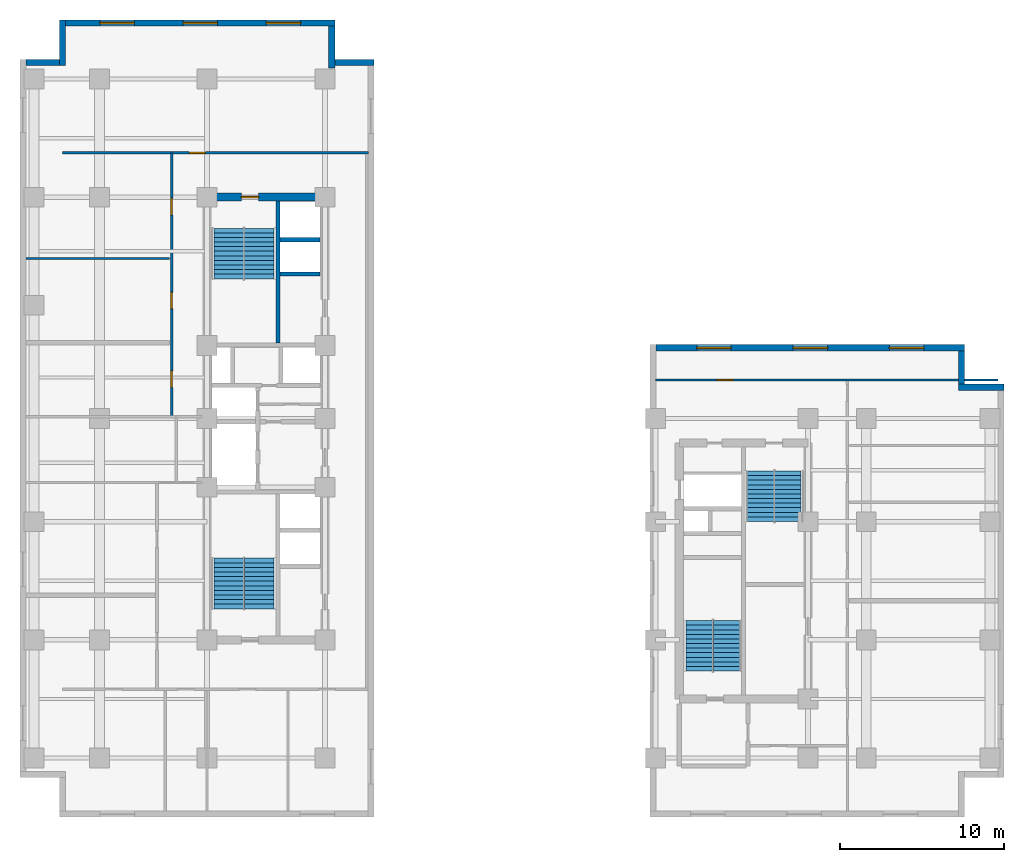
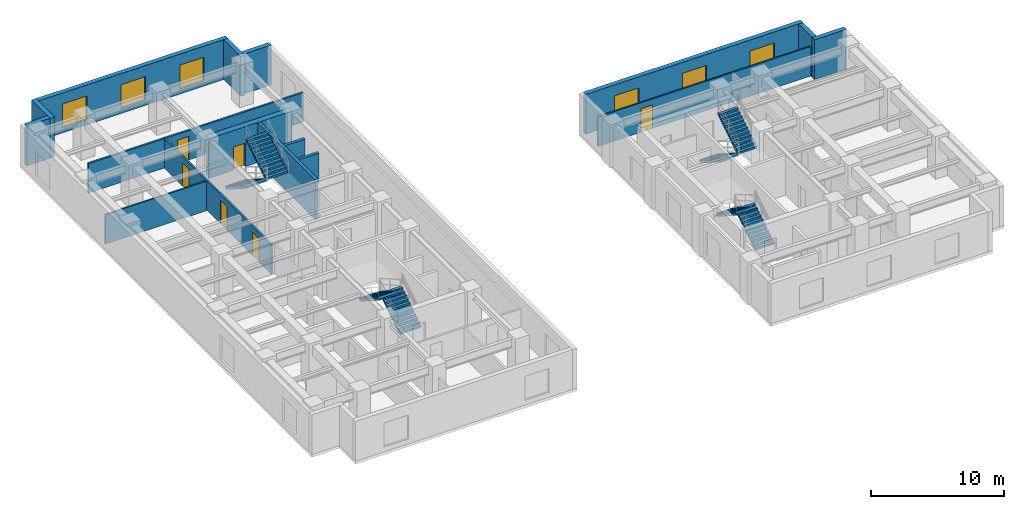
# One storey, part 5 of 8: 16 walls, 8 stair flights, 6 doors, 6 windows, 12 openings, 4 elements without a shape of their own.
"""IFC4 building model written with IfcOpenShell, lengths in metres."""

import ifcopenshell
import ifcopenshell.guid

model = None  # the IFC model being written
_history = None  # IfcOwnerHistory: only IFC2X3 demands one
_inside = {}  # id of a spatial element -> (the spatial element, [elements in it])
_under = {}  # id of a project, library or spatial element -> (it, [spatial elements below it])
_declared = {}  # id of a project -> (the project, [libraries it declares])
_typed = {}  # id of a type object -> (the type object, [elements of that type])
_made_of = {}  # id of a material, layer set ... -> (it, [elements and type objects made of it])


def new_model(schema):
    """Start an empty IFC model of exactly this schema.

    Asked for "IFC4X3", IfcOpenShell would pick the latest addendum, in which some entities
    have other attributes; the version numbers below select the first issue.
    IFC2X3 requires an IfcOwnerHistory on every rooted entity: one is made here for all.
    """
    global model, _history
    if schema == "IFC4X3":
        model = ifcopenshell.file(schema_version=(4, 3, 0, 0))
    else:
        model = ifcopenshell.file(schema=schema)
    _inside.clear()
    _under.clear()
    _declared.clear()
    _typed.clear()
    _made_of.clear()
    _history = None
    if model.schema == "IFC2X3":
        org = make("IfcOrganization", Name="unknown")
        user = make(
            "IfcPersonAndOrganization",
            ThePerson=make("IfcPerson", FamilyName="unknown"),
            TheOrganization=org,
        )
        app = make(
            "IfcApplication",
            ApplicationDeveloper=org,
            Version="unknown",
            ApplicationFullName="unknown",
            ApplicationIdentifier="unknown",
        )
        _history = make(
            "IfcOwnerHistory",
            OwningUser=user,
            OwningApplication=app,
            ChangeAction="ADDED",
            CreationDate=0,
        )
    return model


def make(cls, **values):
    """One entity of the class cls with the attributes given. An attribute that is None is left unset."""
    return model.create_entity(
        cls, **{name: value for name, value in values.items() if value is not None}
    )


def entity(cls, *values):
    """Any entity or typed value of the class cls, its attributes in the order of the schema. None: left unset."""
    e = model.create_entity(cls)
    for i, value in enumerate(values):
        if value is not None:
            e[i] = value
    return e


def rooted(cls, **values):
    """An entity with a GlobalId (a new one), such as an element, a storey or a relation."""
    return make(cls, GlobalId=ifcopenshell.guid.new(), OwnerHistory=_history, **values)


def si_unit(unit_type, name, prefix=None):
    """IfcSIUnit, for example si_unit("LENGTHUNIT", "METRE", prefix="MILLI")."""
    return make("IfcSIUnit", UnitType=unit_type, Prefix=prefix, Name=name)


def converted_unit(unit_type, name, factor, base, dimensions=None, offset=None):
    """IfcConversionBasedUnit, such as the inch: factor (a typed value) times the base unit."""
    return make(
        "IfcConversionBasedUnit"
        if offset is None
        else "IfcConversionBasedUnitWithOffset",
        ConversionOffset=offset,
        Dimensions=None
        if dimensions is None
        else entity("IfcDimensionalExponents", *dimensions),
        UnitType=unit_type,
        Name=name,
        ConversionFactor=make(
            "IfcMeasureWithUnit", ValueComponent=factor, UnitComponent=base
        ),
    )


def assignment(units):
    """IfcUnitAssignment: the units of a project."""
    return None if units is None else make("IfcUnitAssignment", Units=units)


def point(xyz):
    """IfcCartesianPoint."""
    return None if xyz is None else make("IfcCartesianPoint", Coordinates=xyz)


def direction(xyz):
    """IfcDirection."""
    return None if xyz is None else make("IfcDirection", DirectionRatios=xyz)


def frame(location, z_axis=None, x_axis=None):
    """IfcAxis2Placement3D, a coordinate frame: its origin and axes. An axis left out is left unset."""
    return make(
        "IfcAxis2Placement3D",
        Location=point(location),
        Axis=direction(z_axis),
        RefDirection=direction(x_axis),
    )


def frame_2d(location, x_axis=None):
    """IfcAxis2Placement2D, a coordinate frame in the plane: its origin and x axis."""
    return make(
        "IfcAxis2Placement2D", Location=point(location), RefDirection=direction(x_axis)
    )


def origin_with_axes():
    """The frame at (0, 0, 0) with the z axis (0, 0, 1) and the x axis (1, 0, 0) written out."""
    return frame((0.0, 0.0, 0.0), z_axis=(0.0, 0.0, 1.0), x_axis=(1.0, 0.0, 0.0))


def origin_2d_with_axis():
    """The frame at (0, 0) in the plane with the x axis (1, 0) written out."""
    return frame_2d((0.0, 0.0), x_axis=(1.0, 0.0))


def place(relative_to, where):
    """IfcLocalPlacement: puts the frame where relative to a parent placement (None: the world)."""
    return make(
        "IfcLocalPlacement", PlacementRelTo=relative_to, RelativePlacement=where
    )


def context(
    kind, dimensions, precision=None, world=None, true_north=None, identifier=None
):
    """IfcGeometricRepresentationContext, for example the 3D "Model" context."""
    return make(
        "IfcGeometricRepresentationContext",
        ContextIdentifier=identifier,
        ContextType=kind,
        CoordinateSpaceDimension=dimensions,
        Precision=precision,
        WorldCoordinateSystem=world,
        TrueNorth=true_north,
    )


def subcontext(parent, identifier, kind, view, scale=None):
    """IfcGeometricRepresentationSubContext, for example "Body" below "Model"."""
    return make(
        "IfcGeometricRepresentationSubContext",
        ContextIdentifier=identifier,
        ContextType=kind,
        ParentContext=parent,
        TargetScale=scale,
        TargetView=view,
    )


def project(units=None, contexts=None):
    """IfcProject with its units and contexts."""
    return rooted(
        "IfcProject",
        Name="project",
        RepresentationContexts=contexts,
        UnitsInContext=assignment(units),
    )


def spatial(cls, under=None, at=None, **own):
    """A site, building, storey or space (cls), placed at a placement, below another one or the project."""
    s = rooted(cls, ObjectPlacement=at, **own)
    if under is not None:
        _under.setdefault(under.id(), (under, []))[1].append(s)
    return s


def polyline(points):
    """IfcPolyline through the points."""
    return make("IfcPolyline", Points=[point(p) for p in points])


def profile(cls, at=None, kind="AREA", **sizes):
    """A parametric profile (cls). Its sizes go by their IFC names, for example OverallWidth=200.0."""
    return make(cls, ProfileType=kind, Position=at, **sizes)


def rectangle(**sizes):
    """IfcRectangleProfileDef."""
    return profile("IfcRectangleProfileDef", **sizes)


def outline(outer, holes=None, kind="AREA"):
    """IfcArbitraryClosedProfileDef: a profile drawn as a closed curve; with holes, ...WithVoids."""
    if holes is None:
        return make("IfcArbitraryClosedProfileDef", ProfileType=kind, OuterCurve=outer)
    return make(
        "IfcArbitraryProfileDefWithVoids",
        ProfileType=kind,
        OuterCurve=outer,
        InnerCurves=holes,
    )


def extrude(swept, where, along, depth):
    """IfcExtrudedAreaSolid: the profile swept, set in the frame where, extruded along a direction by depth."""
    return make(
        "IfcExtrudedAreaSolid",
        SweptArea=swept,
        Position=where,
        ExtrudedDirection=direction(along),
        Depth=depth,
    )


def shape(context_of_items, identifier, shape_type, items):
    """IfcShapeRepresentation: the items that make up one representation, for example the "Body"."""
    return make(
        "IfcShapeRepresentation",
        ContextOfItems=context_of_items,
        RepresentationIdentifier=identifier,
        RepresentationType=shape_type,
        Items=items,
    )


def material(Name=None, Category=None):
    """IfcMaterial."""
    return make("IfcMaterial", Name=Name, Category=Category)


def layer(
    of_material, thickness, ventilated=None, Name=None, Category=None, Priority=None
):
    """IfcMaterialLayer: one layer of a wall or slab, of a material (None: an air gap)."""
    return make(
        "IfcMaterialLayer",
        Material=of_material,
        LayerThickness=thickness,
        IsVentilated=ventilated,
        Name=Name,
        Category=Category,
        Priority=Priority,
    )


def layer_set(layers, Name=None):
    """IfcMaterialLayerSet."""
    return make("IfcMaterialLayerSet", MaterialLayers=layers, LayerSetName=Name)


def made_of(thing, what):
    """Note that an element or type object is made of a material, layer set ...; save() writes the relation."""
    if what is not None:
        _made_of.setdefault(what.id(), (what, []))[1].append(thing)
    return thing


def type_object(cls, material=None, **own):
    """A type object (cls), such as IfcWallType, which elements share."""
    return made_of(rooted(cls, **own), material)


def element(
    cls,
    number,
    at=None,
    inside=None,
    cuts=None,
    type_object=None,
    material=None,
    context=None,
    identifier="Body",
    shape_type=None,
    held_by="IfcProductDefinitionShape",
    body=None,
    shapes=None,
    **own,
):
    """One element of the class cls, such as IfcWall. Its Tag is "e" and its number.

    at: its placement. inside: the storey or other place that contains it. cuts: it is an
    opening in that element (IfcRelVoidsElement). A single representation is given by context,
    identifier, shape_type and body (its items); several are given by shapes. held_by: the class
    of the entity that holds the representations. save() writes the other relations.
    """
    e = rooted(cls, Tag="e%d" % number, ObjectPlacement=at, **own)
    if body is not None:
        shapes = [shape(context, identifier, shape_type, body)]
    if shapes is not None:
        e.Representation = make(held_by, Representations=shapes)
    if inside is not None:
        _inside.setdefault(inside.id(), (inside, []))[1].append(e)
    if cuts is not None:
        rooted(
            "IfcRelVoidsElement", RelatingBuildingElement=cuts, RelatedOpeningElement=e
        )
    if type_object is not None:
        _typed.setdefault(type_object.id(), (type_object, []))[1].append(e)
    return made_of(e, material)


def fill(opening, filler):
    """IfcRelFillsElement: the door or window that sits in an opening."""
    return rooted(
        "IfcRelFillsElement",
        RelatingOpeningElement=opening,
        RelatedBuildingElement=filler,
    )


def aggregate(whole, parts):
    """IfcRelAggregates: a whole, such as a stair, and the parts it consists of."""
    return rooted("IfcRelAggregates", RelatingObject=whole, RelatedObjects=parts)


def save(model, path):
    """Write the relations noted so far, then the file.

    IfcRelAggregates (storeys below a building ...), IfcRelContainedInSpatialStructure (elements
    in a storey), IfcRelDefinesByType, IfcRelAssociatesMaterial and IfcRelDeclares: one each for
    every whole, place, type object, material and project.
    """
    for whole, parts in _under.values():
        aggregate(whole, parts)
    for where, things in _inside.values():
        rooted(
            "IfcRelContainedInSpatialStructure",
            RelatedElements=things,
            RelatingStructure=where,
        )
    for kind, things in _typed.values():
        rooted("IfcRelDefinesByType", RelatedObjects=things, RelatingType=kind)
    for what, things in _made_of.values():
        rooted("IfcRelAssociatesMaterial", RelatedObjects=things, RelatingMaterial=what)
    for by, libraries in _declared.values():
        rooted("IfcRelDeclares", RelatingContext=by, RelatedDefinitions=libraries)
    model.write(path)


model = new_model("IFC4")

# Units and contexts
model_context = context("Model", 3, precision=1e-05, world=origin_with_axes(), true_north=direction((0.0, 1.0)))
body_context = subcontext(model_context, "Body", "Model", "MODEL_VIEW")
ifc_project = project(units=[si_unit("LENGTHUNIT", "METRE"), si_unit("AREAUNIT", "SQUARE_METRE"), si_unit("VOLUMEUNIT", "CUBIC_METRE"), converted_unit("PLANEANGLEUNIT", "DEGREE", entity("IfcPlaneAngleMeasure", 0.017453292519943295), si_unit("PLANEANGLEUNIT", "RADIAN"), dimensions=[0, 0, 0, 0, 0, 0, 0]), si_unit("MASSUNIT", "GRAM", prefix="KILO"), si_unit("THERMODYNAMICTEMPERATUREUNIT", "KELVIN")], contexts=[model_context])

# Site, building, storey
site_placement = place(None, origin_with_axes())
site = spatial("IfcSite", under=ifc_project, at=site_placement, CompositionType="ELEMENT")
building_placement = place(site_placement, origin_with_axes())
building = spatial("IfcBuilding", under=site, at=building_placement, Name="Varnlund Millrace Tower", CompositionType="ELEMENT")
storey_placement = place(building_placement, frame((0.0, 0.0, 116.4), z_axis=(0.0, 0.0, 1.0), x_axis=(1.0, 0.0, 0.0)))
storey = spatial("IfcBuildingStorey", under=building, at=storey_placement, Name="L28", CompositionType="ELEMENT", Elevation=116.4)

# Wall, opening, door
ifc_material_1 = material(Name="Concrete C70/85", Category="concrete")
ifc_layer_1 = layer(ifc_material_1, 0.5, Name="Concrete C70/85")
ifc_layer_set_1 = layer_set([ifc_layer_1], Name="Concrete C70/85")
wall_type_1 = type_object("IfcWallType", Name="Type-CoreWall-Shear-500-C70", PredefinedType="SHEAR", material=ifc_layer_set_1)
wall_1_placement = place(storey_placement, frame((11.4, 37.8, 0.0), z_axis=(0.0, 0.0, 1.0), x_axis=(1.0, 0.0, 0.0)))
wall_1 = element("IfcWall", 1, at=wall_1_placement, inside=storey, type_object=wall_type_1, Name="Type-CoreWall-Shear-500-C70", PredefinedType="SHEAR", context=body_context, shape_type="SweptSolid", body=[
    extrude(outline(polyline([(0.0, -0.25), (7.2, -0.25), (7.2, 0.25), (0.0, 0.25), (0.0, -0.25)])), origin_with_axes(), (0.0, 0.0, 1.0), 3.66),
])
opening_1_placement = place(wall_1_placement, frame((2.625, 0.0, 0.0), z_axis=(0.0, 0.0, 1.0), x_axis=(1.0, 0.0, 0.0)))
opening_1 = element("IfcOpeningElement", 2, at=opening_1_placement, cuts=wall_1, Name="Opening L28:DR-STA2", PredefinedType="OPENING", context=body_context, shape_type="SweptSolid", body=[
    extrude(rectangle(XDim=1.05, YDim=0.52, at=origin_2d_with_axis()), origin_with_axes(), (0.0, 0.0, 1.0), 2.15),
])
ifc_material_2 = material(Name="Fire-rated hollow steel door", Category="steel")
door_type_1 = type_object("IfcDoorType", Name="Type-FireDoor-Stair-1050X2150", OperationType="NOTDEFINED", PredefinedType="DOOR", material=ifc_material_2)
door_1_placement = place(wall_1_placement, frame((2.625, 0.0, 0.0), z_axis=(0.0, 0.0, 1.0), x_axis=(1.0, 0.0, 0.0)))
door_1 = element("IfcDoor", 3, at=door_1_placement, inside=storey, type_object=door_type_1, Name="Type-FireDoor-Stair-1050X2150", OperationType="SINGLE_SWING_RIGHT", OverallHeight=2.15, OverallWidth=1.05, PredefinedType="DOOR", context=body_context, shape_type="SweptSolid", body=[
    extrude(rectangle(XDim=1.05, YDim=0.09, at=origin_2d_with_axis()), origin_with_axes(), (0.0, 0.0, 1.0), 2.15),
])
fill(opening_1, door_1)

# Walls
ifc_material_3 = material(Name="Precast concrete C50/60", Category="concrete")
ifc_layer_2 = layer(ifc_material_3, 0.38, Name="Precast concrete C50/60")
ifc_layer_set_2 = layer_set([ifc_layer_2], Name="Precast concrete C50/60")
wall_type_2 = type_object("IfcWallType", Name="Type-ExtWall-Precast-Tube-380", PredefinedType="SOLIDWALL", material=ifc_layer_set_2)
wall_2_placement = place(storey_placement, frame((0.38, 46.01, 0.0), z_axis=(0.0, 0.0, 1.0), x_axis=(1.0, 0.0, 0.0)))
element("IfcWall", 4, at=wall_2_placement, inside=storey, type_object=wall_type_2, Name="Type-ExtWall-Precast-Tube-380", PredefinedType="SOLIDWALL", context=body_context, shape_type="SweptSolid", body=[
    extrude(outline(polyline([(0.0, -0.19), (2.02, -0.19), (2.02, 0.19), (0.0, 0.19), (0.0, -0.19)])), origin_with_axes(), (0.0, 0.0, 1.0), 3.66),
])
wall_3_placement = place(storey_placement, frame((2.59, 45.82, 0.0), z_axis=(0.0, 0.0, 1.0), x_axis=(0.0, 1.0, 0.0)))
element("IfcWall", 5, at=wall_3_placement, inside=storey, type_object=wall_type_2, Name="Type-ExtWall-Precast-Tube-380", PredefinedType="SOLIDWALL", context=body_context, shape_type="SweptSolid", body=[
    extrude(outline(polyline([(0.0, -0.19), (2.78, -0.19), (2.78, 0.19), (0.0, 0.19), (0.0, -0.19)])), origin_with_axes(), (0.0, 0.0, 1.0), 3.66),
])

# Wall, openings, windows
wall_4_placement = place(storey_placement, frame((2.78, 48.41, 0.0), z_axis=(0.0, 0.0, 1.0), x_axis=(1.0, 0.0, 0.0)))
wall_4 = element("IfcWall", 6, at=wall_4_placement, inside=storey, type_object=wall_type_2, Name="Type-ExtWall-Precast-Tube-380", PredefinedType="SOLIDWALL", context=body_context, shape_type="SweptSolid", body=[
    extrude(outline(polyline([(0.0, -0.19), (16.42, -0.19), (16.42, 0.19), (0.0, 0.19), (0.0, -0.19)])), origin_with_axes(), (0.0, 0.0, 1.0), 3.66),
])
opening_2_placement = place(wall_4_placement, frame((3.137, 0.0, 0.45), z_axis=(0.0, 0.0, 1.0), x_axis=(1.0, 0.0, 0.0)))
opening_2 = element("IfcOpeningElement", 7, at=opening_2_placement, cuts=wall_4, Name="Opening L28:WN-04", PredefinedType="OPENING", context=body_context, shape_type="SweptSolid", body=[
    extrude(rectangle(XDim=2.1, YDim=0.4, at=origin_2d_with_axis()), origin_with_axes(), (0.0, 0.0, 1.0), 2.2),
])
opening_3_placement = place(wall_4_placement, frame((8.21, 0.0, 0.45), z_axis=(0.0, 0.0, 1.0), x_axis=(1.0, 0.0, 0.0)))
opening_3 = element("IfcOpeningElement", 8, at=opening_3_placement, cuts=wall_4, Name="Opening L28:WN-05", PredefinedType="OPENING", context=body_context, shape_type="SweptSolid", body=[
    extrude(rectangle(XDim=2.1, YDim=0.4, at=origin_2d_with_axis()), origin_with_axes(), (0.0, 0.0, 1.0), 2.2),
])
opening_4_placement = place(wall_4_placement, frame((13.283, 0.0, 0.45), z_axis=(0.0, 0.0, 1.0), x_axis=(1.0, 0.0, 0.0)))
opening_4 = element("IfcOpeningElement", 9, at=opening_4_placement, cuts=wall_4, Name="Opening L28:WN-06", PredefinedType="OPENING", context=body_context, shape_type="SweptSolid", body=[
    extrude(rectangle(XDim=2.1, YDim=0.4, at=origin_2d_with_axis()), origin_with_axes(), (0.0, 0.0, 1.0), 2.2),
])
ifc_material_4 = material(Name="Argon low-e triple glazing in thermally broken bronze frame", Category="glass")
window_type = type_object("IfcWindowType", Name="Type-Window-Punched-2100X2200", PartitioningType="SINGLE_PANEL", PredefinedType="WINDOW", material=ifc_material_4)
window_1_placement = place(wall_4_placement, frame((3.137, 0.0, 0.45), z_axis=(0.0, 0.0, 1.0), x_axis=(1.0, 0.0, 0.0)))
window_1 = element("IfcWindow", 10, at=window_1_placement, inside=storey, type_object=window_type, Name="Type-Window-Punched-2100X2200", OverallHeight=2.2, OverallWidth=2.1, PredefinedType="WINDOW", context=body_context, shape_type="SweptSolid", body=[
    extrude(rectangle(XDim=2.1, YDim=0.09, at=origin_2d_with_axis()), origin_with_axes(), (0.0, 0.0, 1.0), 2.2),
])
fill(opening_2, window_1)
window_2_placement = place(wall_4_placement, frame((8.21, 0.0, 0.45), z_axis=(0.0, 0.0, 1.0), x_axis=(1.0, 0.0, 0.0)))
window_2 = element("IfcWindow", 11, at=window_2_placement, inside=storey, type_object=window_type, Name="Type-Window-Punched-2100X2200", OverallHeight=2.2, OverallWidth=2.1, PredefinedType="WINDOW", context=body_context, shape_type="SweptSolid", body=[
    extrude(rectangle(XDim=2.1, YDim=0.09, at=origin_2d_with_axis()), origin_with_axes(), (0.0, 0.0, 1.0), 2.2),
])
fill(opening_3, window_2)
window_3_placement = place(wall_4_placement, frame((13.283, 0.0, 0.45), z_axis=(0.0, 0.0, 1.0), x_axis=(1.0, 0.0, 0.0)))
window_3 = element("IfcWindow", 12, at=window_3_placement, inside=storey, type_object=window_type, Name="Type-Window-Punched-2100X2200", OverallHeight=2.2, OverallWidth=2.1, PredefinedType="WINDOW", context=body_context, shape_type="SweptSolid", body=[
    extrude(rectangle(XDim=2.1, YDim=0.09, at=origin_2d_with_axis()), origin_with_axes(), (0.0, 0.0, 1.0), 2.2),
])
fill(opening_4, window_3)

# Walls
wall_5_placement = place(storey_placement, frame((19.01, 48.22, 0.0), z_axis=(0.0, 0.0, 1.0), x_axis=(0.0, -1.0, 0.0)))
element("IfcWall", 13, at=wall_5_placement, inside=storey, type_object=wall_type_2, Name="Type-ExtWall-Precast-Tube-380", PredefinedType="SOLIDWALL", context=body_context, shape_type="SweptSolid", body=[
    extrude(outline(polyline([(0.0, -0.19), (2.56, -0.19), (2.56, 0.19), (0.0, 0.19), (0.0, -0.19)])), origin_with_axes(), (0.0, 0.0, 1.0), 3.66),
])
wall_6_placement = place(storey_placement, frame((18.82, 46.01, 0.0), z_axis=(0.0, 0.0, 1.0), x_axis=(1.0, 0.0, 0.0)))
element("IfcWall", 14, at=wall_6_placement, inside=storey, type_object=wall_type_2, Name="Type-ExtWall-Precast-Tube-380", PredefinedType="SOLIDWALL", context=body_context, shape_type="SweptSolid", body=[
    extrude(outline(polyline([(0.0, -0.19), (2.78, -0.19), (2.78, 0.19), (0.0, 0.19), (0.0, -0.19)])), origin_with_axes(), (0.0, 0.0, 1.0), 3.66),
])

# Wall, openings, windows
wall_7_placement = place(storey_placement, frame((38.78, 28.61, 0.0), z_axis=(0.0, 0.0, 1.0), x_axis=(1.0, 0.0, 0.0)))
wall_7 = element("IfcWall", 15, at=wall_7_placement, inside=storey, type_object=wall_type_2, Name="Type-ExtWall-Precast-Tube-380", PredefinedType="SOLIDWALL", context=body_context, shape_type="SweptSolid", body=[
    extrude(outline(polyline([(0.0, -0.19), (18.82, -0.19), (18.82, 0.19), (0.0, 0.19), (0.0, -0.19)])), origin_with_axes(), (0.0, 0.0, 1.0), 3.66),
])
opening_5_placement = place(wall_7_placement, frame((3.537, 0.0, 0.45), z_axis=(0.0, 0.0, 1.0), x_axis=(1.0, 0.0, 0.0)))
opening_5 = element("IfcOpeningElement", 16, at=opening_5_placement, cuts=wall_7, Name="Opening L28:WN-11", PredefinedType="OPENING", context=body_context, shape_type="SweptSolid", body=[
    extrude(rectangle(XDim=2.1, YDim=0.4, at=origin_2d_with_axis()), origin_with_axes(), (0.0, 0.0, 1.0), 2.2),
])
opening_6_placement = place(wall_7_placement, frame((9.41, 0.0, 0.45), z_axis=(0.0, 0.0, 1.0), x_axis=(1.0, 0.0, 0.0)))
opening_6 = element("IfcOpeningElement", 17, at=opening_6_placement, cuts=wall_7, Name="Opening L28:WN-12", PredefinedType="OPENING", context=body_context, shape_type="SweptSolid", body=[
    extrude(rectangle(XDim=2.1, YDim=0.4, at=origin_2d_with_axis()), origin_with_axes(), (0.0, 0.0, 1.0), 2.2),
])
opening_7_placement = place(wall_7_placement, frame((15.283, 0.0, 0.45), z_axis=(0.0, 0.0, 1.0), x_axis=(1.0, 0.0, 0.0)))
opening_7 = element("IfcOpeningElement", 18, at=opening_7_placement, cuts=wall_7, Name="Opening L28:WN-13", PredefinedType="OPENING", context=body_context, shape_type="SweptSolid", body=[
    extrude(rectangle(XDim=2.1, YDim=0.4, at=origin_2d_with_axis()), origin_with_axes(), (0.0, 0.0, 1.0), 2.2),
])
window_4_placement = place(wall_7_placement, frame((3.537, 0.0, 0.45), z_axis=(0.0, 0.0, 1.0), x_axis=(1.0, 0.0, 0.0)))
window_4 = element("IfcWindow", 19, at=window_4_placement, inside=storey, type_object=window_type, Name="Type-Window-Punched-2100X2200", OverallHeight=2.2, OverallWidth=2.1, PredefinedType="WINDOW", context=body_context, shape_type="SweptSolid", body=[
    extrude(rectangle(XDim=2.1, YDim=0.09, at=origin_2d_with_axis()), origin_with_axes(), (0.0, 0.0, 1.0), 2.2),
])
fill(opening_5, window_4)
window_5_placement = place(wall_7_placement, frame((9.41, 0.0, 0.45), z_axis=(0.0, 0.0, 1.0), x_axis=(1.0, 0.0, 0.0)))
window_5 = element("IfcWindow", 20, at=window_5_placement, inside=storey, type_object=window_type, Name="Type-Window-Punched-2100X2200", OverallHeight=2.2, OverallWidth=2.1, PredefinedType="WINDOW", context=body_context, shape_type="SweptSolid", body=[
    extrude(rectangle(XDim=2.1, YDim=0.09, at=origin_2d_with_axis()), origin_with_axes(), (0.0, 0.0, 1.0), 2.2),
])
fill(opening_6, window_5)
window_6_placement = place(wall_7_placement, frame((15.283, 0.0, 0.45), z_axis=(0.0, 0.0, 1.0), x_axis=(1.0, 0.0, 0.0)))
window_6 = element("IfcWindow", 21, at=window_6_placement, inside=storey, type_object=window_type, Name="Type-Window-Punched-2100X2200", OverallHeight=2.2, OverallWidth=2.1, PredefinedType="WINDOW", context=body_context, shape_type="SweptSolid", body=[
    extrude(rectangle(XDim=2.1, YDim=0.09, at=origin_2d_with_axis()), origin_with_axes(), (0.0, 0.0, 1.0), 2.2),
])
fill(opening_7, window_6)

# Walls
wall_8_placement = place(storey_placement, frame((57.41, 28.42, 0.0), z_axis=(0.0, 0.0, 1.0), x_axis=(0.0, -1.0, 0.0)))
element("IfcWall", 22, at=wall_8_placement, inside=storey, type_object=wall_type_2, Name="Type-ExtWall-Precast-Tube-380", PredefinedType="SOLIDWALL", context=body_context, shape_type="SweptSolid", body=[
    extrude(outline(polyline([(0.0, -0.19), (2.02, -0.19), (2.02, 0.19), (0.0, 0.19), (0.0, -0.19)])), origin_with_axes(), (0.0, 0.0, 1.0), 3.66),
])
wall_9_placement = place(storey_placement, frame((57.22, 26.21, 0.0), z_axis=(0.0, 0.0, 1.0), x_axis=(1.0, 0.0, 0.0)))
element("IfcWall", 23, at=wall_9_placement, inside=storey, type_object=wall_type_2, Name="Type-ExtWall-Precast-Tube-380", PredefinedType="SOLIDWALL", context=body_context, shape_type="SweptSolid", body=[
    extrude(outline(polyline([(0.0, -0.19), (2.78, -0.19), (2.78, 0.19), (0.0, 0.19), (0.0, -0.19)])), origin_with_axes(), (0.0, 0.0, 1.0), 3.66),
])

# Wall, opening, door
ifc_material_5 = material(Name="Fire-rated gypsum board on cold-formed steel framing", Category="steel")
ifc_layer_3 = layer(ifc_material_5, 0.16, Name="Fire-rated gypsum board on cold-formed steel framing")
ifc_layer_set_3 = layer_set([ifc_layer_3], Name="Fire-rated gypsum board on cold-formed steel framing")
wall_type_3 = type_object("IfcWallType", Name="Type-Partition-Corridor-160", PredefinedType="PARTITIONING", material=ifc_layer_set_3)
wall_10_placement = place(storey_placement, frame((2.6, 40.5, 0.0), z_axis=(0.0, 0.0, 1.0), x_axis=(1.0, 0.0, 0.0)))
wall_10 = element("IfcWall", 24, at=wall_10_placement, inside=storey, type_object=wall_type_3, Name="Type-Partition-Corridor-160", PredefinedType="PARTITIONING", context=body_context, shape_type="SweptSolid", body=[
    extrude(outline(polyline([(0.0, -0.08), (18.65, -0.08), (18.65, 0.08), (0.0, 0.08), (0.0, -0.08)])), origin_with_axes(), (0.0, 0.0, 1.0), 2.7),
])
opening_8_placement = place(wall_10_placement, frame((8.205, 0.0, 0.0), z_axis=(0.0, 0.0, 1.0), x_axis=(1.0, 0.0, 0.0)))
opening_8 = element("IfcOpeningElement", 25, at=opening_8_placement, cuts=wall_10, Name="Opening L28:DR-WAN-01", PredefinedType="OPENING", context=body_context, shape_type="SweptSolid", body=[
    extrude(rectangle(XDim=1.0, YDim=0.18, at=origin_2d_with_axis()), origin_with_axes(), (0.0, 0.0, 1.0), 2.15),
])
ifc_material_6 = material(Name="Solid-core white oak and bronze frame door")
door_type_2 = type_object("IfcDoorType", Name="Type-IntDoor-Office-1000X2150", OperationType="NOTDEFINED", PredefinedType="DOOR", material=ifc_material_6)
door_2_placement = place(wall_10_placement, frame((8.205, 0.0, 0.0), z_axis=(0.0, 0.0, 1.0), x_axis=(1.0, 0.0, 0.0)))
door_2 = element("IfcDoor", 26, at=door_2_placement, inside=storey, type_object=door_type_2, Name="Type-IntDoor-Office-1000X2150", OperationType="SINGLE_SWING_LEFT", OverallHeight=2.15, OverallWidth=1.0, PredefinedType="DOOR", context=body_context, shape_type="SweptSolid", body=[
    extrude(rectangle(XDim=1.0, YDim=0.09, at=origin_2d_with_axis()), origin_with_axes(), (0.0, 0.0, 1.0), 2.15),
])
fill(opening_8, door_2)

# Wall, openings, doors
wall_11_placement = place(storey_placement, frame((9.25, 24.4, 0.0), z_axis=(0.0, 0.0, 1.0), x_axis=(0.0, 1.0, 0.0)))
wall_11 = element("IfcWall", 27, at=wall_11_placement, inside=storey, type_object=wall_type_3, Name="Type-Partition-Corridor-160", PredefinedType="PARTITIONING", context=body_context, shape_type="SweptSolid", body=[
    extrude(outline(polyline([(0.0, -0.08), (16.1, -0.08), (16.1, 0.08), (0.0, 0.08), (0.0, -0.08)])), origin_with_axes(), (0.0, 0.0, 1.0), 2.7),
])
opening_9_placement = place(wall_11_placement, frame((2.305, 0.0, 0.0), z_axis=(0.0, 0.0, 1.0), x_axis=(1.0, 0.0, 0.0)))
opening_9 = element("IfcOpeningElement", 28, at=opening_9_placement, cuts=wall_11, Name="Opening L28:DR-WN-01", PredefinedType="OPENING", context=body_context, shape_type="SweptSolid", body=[
    extrude(rectangle(XDim=1.0, YDim=0.18, at=origin_2d_with_axis()), origin_with_axes(), (0.0, 0.0, 1.0), 2.15),
])
opening_10_placement = place(wall_11_placement, frame((7.0985, 0.0, 0.0), z_axis=(0.0, 0.0, 1.0), x_axis=(1.0, 0.0, 0.0)))
opening_10 = element("IfcOpeningElement", 29, at=opening_10_placement, cuts=wall_11, Name="Opening L28:DR-WN-02", PredefinedType="OPENING", context=body_context, shape_type="SweptSolid", body=[
    extrude(rectangle(XDim=1.0, YDim=0.18, at=origin_2d_with_axis()), origin_with_axes(), (0.0, 0.0, 1.0), 2.15),
])
opening_11_placement = place(wall_11_placement, frame((12.8185, 0.0, 0.0), z_axis=(0.0, 0.0, 1.0), x_axis=(1.0, 0.0, 0.0)))
opening_11 = element("IfcOpeningElement", 30, at=opening_11_placement, cuts=wall_11, Name="Opening L28:DR-WN-03", PredefinedType="OPENING", context=body_context, shape_type="SweptSolid", body=[
    extrude(rectangle(XDim=1.0, YDim=0.18, at=origin_2d_with_axis()), origin_with_axes(), (0.0, 0.0, 1.0), 2.15),
])
door_3_placement = place(wall_11_placement, frame((2.305, 0.0, 0.0), z_axis=(0.0, 0.0, 1.0), x_axis=(1.0, 0.0, 0.0)))
door_3 = element("IfcDoor", 31, at=door_3_placement, inside=storey, type_object=door_type_2, Name="Type-IntDoor-Office-1000X2150", OperationType="SINGLE_SWING_LEFT", OverallHeight=2.15, OverallWidth=1.0, PredefinedType="DOOR", context=body_context, shape_type="SweptSolid", body=[
    extrude(rectangle(XDim=1.0, YDim=0.09, at=origin_2d_with_axis()), origin_with_axes(), (0.0, 0.0, 1.0), 2.15),
])
fill(opening_9, door_3)
door_4_placement = place(wall_11_placement, frame((7.0985, 0.0, 0.0), z_axis=(0.0, 0.0, 1.0), x_axis=(1.0, 0.0, 0.0)))
door_4 = element("IfcDoor", 32, at=door_4_placement, inside=storey, type_object=door_type_2, Name="Type-IntDoor-Office-1000X2150", OperationType="SINGLE_SWING_RIGHT", OverallHeight=2.15, OverallWidth=1.0, PredefinedType="DOOR", context=body_context, shape_type="SweptSolid", body=[
    extrude(rectangle(XDim=1.0, YDim=0.09, at=origin_2d_with_axis()), origin_with_axes(), (0.0, 0.0, 1.0), 2.15),
])
fill(opening_10, door_4)
door_5_placement = place(wall_11_placement, frame((12.8185, 0.0, 0.0), z_axis=(0.0, 0.0, 1.0), x_axis=(1.0, 0.0, 0.0)))
door_5 = element("IfcDoor", 33, at=door_5_placement, inside=storey, type_object=door_type_2, Name="Type-IntDoor-Office-1000X2150", OperationType="SINGLE_SWING_LEFT", OverallHeight=2.15, OverallWidth=1.0, PredefinedType="DOOR", context=body_context, shape_type="SweptSolid", body=[
    extrude(rectangle(XDim=1.0, YDim=0.09, at=origin_2d_with_axis()), origin_with_axes(), (0.0, 0.0, 1.0), 2.15),
])
fill(opening_11, door_5)

# Wall
ifc_material_7 = material(Name="Gypsum board tenant partition", Category="gypsum")
ifc_layer_4 = layer(ifc_material_7, 0.125, Name="Gypsum board tenant partition")
ifc_layer_set_4 = layer_set([ifc_layer_4], Name="Gypsum board tenant partition")
wall_type_4 = type_object("IfcWallType", Name="Type-Partition-Tenant-125", PredefinedType="PARTITIONING", material=ifc_layer_set_4)
wall_12_placement = place(storey_placement, frame((0.375, 34.067, 0.0), z_axis=(0.0, 0.0, 1.0), x_axis=(1.0, 0.0, 0.0)))
element("IfcWall", 34, at=wall_12_placement, inside=storey, type_object=wall_type_4, Name="Type-Partition-Tenant-125", PredefinedType="PARTITIONING", context=body_context, shape_type="SweptSolid", body=[
    extrude(outline(polyline([(0.0, -0.0625), (8.755, -0.0625), (8.755, 0.0625), (0.0, 0.0625), (0.0, -0.0625)])), origin_with_axes(), (0.0, 0.0, 1.0), 2.7),
])

# Wall, opening, door
wall_13_placement = place(storey_placement, frame((38.76, 26.65, 0.0), z_axis=(0.0, 0.0, 1.0), x_axis=(1.0, 0.0, 0.0)))
wall_13 = element("IfcWall", 35, at=wall_13_placement, inside=storey, type_object=wall_type_4, Name="Type-Partition-Tenant-125", PredefinedType="PARTITIONING", context=body_context, shape_type="SweptSolid", body=[
    extrude(outline(polyline([(0.0, -0.0625), (20.88, -0.0625), (20.88, 0.0625), (0.0, 0.0625), (0.0, -0.0625)])), origin_with_axes(), (0.0, 0.0, 1.0), 2.7),
])
opening_12_placement = place(wall_13_placement, frame((4.24, 0.0, 0.0), z_axis=(0.0, 0.0, 1.0), x_axis=(1.0, 0.0, 0.0)))
opening_12 = element("IfcOpeningElement", 36, at=opening_12_placement, cuts=wall_13, Name="Opening L28:DR-WBN-01", PredefinedType="OPENING", context=body_context, shape_type="SweptSolid", body=[
    extrude(rectangle(XDim=1.0, YDim=0.145, at=origin_2d_with_axis()), origin_with_axes(), (0.0, 0.0, 1.0), 2.15),
])
door_6_placement = place(wall_13_placement, frame((4.24, 0.0, 0.0), z_axis=(0.0, 0.0, 1.0), x_axis=(1.0, 0.0, 0.0)))
door_6 = element("IfcDoor", 37, at=door_6_placement, inside=storey, type_object=door_type_2, Name="Type-IntDoor-Office-1000X2150", OperationType="SINGLE_SWING_RIGHT", OverallHeight=2.15, OverallWidth=1.0, PredefinedType="DOOR", context=body_context, shape_type="SweptSolid", body=[
    extrude(rectangle(XDim=1.0, YDim=0.075, at=origin_2d_with_axis()), origin_with_axes(), (0.0, 0.0, 1.0), 2.15),
])
fill(opening_12, door_6)

# Walls
ifc_material_8 = material(Name="Concrete C60/75", Category="concrete")
ifc_layer_5 = layer(ifc_material_8, 0.25, Name="Concrete C60/75")
ifc_layer_set_5 = layer_set([ifc_layer_5], Name="Concrete C60/75")
wall_type_5 = type_object("IfcWallType", Name="Type-ShaftWall-Fire-250", PredefinedType="SOLIDWALL", material=ifc_layer_set_5)
for number, where, z_axis, x_axis, name in (
    (38, (15.84, 33.1, 0.0), (0.0, 0.0, 1.0), (1.0, 0.0, 0.0), "Type-ShaftWall-Fire-250"),
    (39, (15.84, 35.2, 0.0), (0.0, 0.0, 1.0), (1.0, 0.0, 0.0), "Type-ShaftWall-Fire-250"),
):
    element("IfcWall", number, at=place(storey_placement, frame(where, z_axis=z_axis, x_axis=x_axis)), inside=storey, type_object=wall_type_5, Name=name, PredefinedType="SOLIDWALL", context=body_context, shape_type="SweptSolid", body=[
        extrude(outline(polyline([(0.0, -0.125), (2.46, -0.125), (2.46, 0.125), (0.0, 0.125), (0.0, -0.125)])), origin_with_axes(), (0.0, 0.0, 1.0), 2.7),
    ])
wall_type_6 = type_object("IfcWallType", Name="Type-StairWall-Shear-250", PredefinedType="SHEAR", material=ifc_layer_set_5)
wall_14_placement = place(storey_placement, frame((15.725, 28.9, 0.0), z_axis=(0.0, 0.0, 1.0), x_axis=(0.0, 1.0, 0.0)))
element("IfcWall", 40, at=wall_14_placement, inside=storey, type_object=wall_type_6, Name="Type-StairWall-Shear-250", PredefinedType="SHEAR", context=body_context, shape_type="SweptSolid", body=[
    extrude(outline(polyline([(0.0, -0.125), (8.65, -0.125), (8.65, 0.125), (0.0, 0.125), (0.0, -0.125)])), origin_with_axes(), (0.0, 0.0, 1.0), 3.66),
])

# Stair, stair flights
ifc_material_9 = material(Name="Concrete C50/60", Category="concrete")
stair_type_1 = type_object("IfcStairType", Name="Type-Stair-Dogleg-165-390", PredefinedType="HALF_TURN_STAIR", material=ifc_material_9)
stair_1_placement = place(storey_placement, origin_with_axes())
stair_1 = element("IfcStair", 41, at=stair_1_placement, inside=storey, type_object=stair_type_1, Name="Type-Stair-Dogleg-165-390", PredefinedType="HALF_TURN_STAIR")
stair_flight_type_1 = type_object("IfcStairFlightType", Name="Type-Dogleg-Run-165-390", PredefinedType="STRAIGHT", material=ifc_material_3)
stair_flight_1_placement = place(storey_placement, frame((42.225, 8.9, 0.0), z_axis=(1.0, 0.0, 0.0), x_axis=(0.0, 1.0, 0.0)))
stair_flight_1 = element("IfcStairFlight", 42, at=stair_flight_1_placement, type_object=stair_flight_type_1, Name="ST-B1 flight 1", NumberOfRisers=11, NumberOfTreads=11, PredefinedType="STRAIGHT", RiserHeight=0.177273, TreadLength=0.28, context=body_context, shape_type="SweptSolid", body=[
    extrude(outline(polyline([(0.0, 0.0), (0.0, 0.177273), (0.28, 0.177273), (0.28, 0.354545), (0.56, 0.354545), (0.56, 0.531818), (0.84, 0.531818), (0.84, 0.709091), (1.12, 0.709091), (1.12, 0.886364), (1.4, 0.886364), (1.4, 1.063636), (1.68, 1.063636), (1.68, 1.240909), (1.96, 1.240909), (1.96, 1.418182), (2.24, 1.418182), (2.24, 1.595454), (2.52, 1.595454), (2.52, 1.772727), (2.8, 1.772727), (2.8, 1.95), (3.08, 1.95), (3.08, 1.8), (0.28, 0.0), (0.0, 0.0)])), origin_with_axes(), (0.0, 0.0, 1.0), 1.65),
])
stair_flight_2_placement = place(storey_placement, frame((42.275, 11.98, 1.95), z_axis=(-1.0, 0.0, 0.0), x_axis=(0.0, -1.0, 0.0)))
stair_flight_2 = element("IfcStairFlight", 43, at=stair_flight_2_placement, type_object=stair_flight_type_1, Name="ST-B1 flight 2", NumberOfRisers=11, NumberOfTreads=11, PredefinedType="STRAIGHT", RiserHeight=0.177273, TreadLength=0.28, context=body_context, shape_type="SweptSolid", body=[
    extrude(outline(polyline([(0.0, 0.0), (0.0, 0.177273), (0.28, 0.177273), (0.28, 0.354545), (0.56, 0.354545), (0.56, 0.531818), (0.84, 0.531818), (0.84, 0.709091), (1.12, 0.709091), (1.12, 0.886364), (1.4, 0.886364), (1.4, 1.063636), (1.68, 1.063636), (1.68, 1.240909), (1.96, 1.240909), (1.96, 1.418182), (2.24, 1.418182), (2.24, 1.595454), (2.52, 1.595454), (2.52, 1.772727), (2.8, 1.772727), (2.8, 1.95), (3.08, 1.95), (3.08, 1.8), (0.28, 0.0), (0.0, 0.0)])), origin_with_axes(), (0.0, 0.0, 1.0), 1.65),
])
aggregate(stair_1, [stair_flight_1, stair_flight_2])

stair_2_placement = place(storey_placement, origin_with_axes())
stair_2 = element("IfcStair", 44, at=stair_2_placement, inside=storey, type_object=stair_type_1, Name="Type-Stair-Dogleg-165-390", PredefinedType="HALF_TURN_STAIR")
stair_flight_3_placement = place(storey_placement, frame((46.025, 21.1, 0.0), z_axis=(-1.0, 0.0, 0.0), x_axis=(0.0, -1.0, 0.0)))
stair_flight_3 = element("IfcStairFlight", 45, at=stair_flight_3_placement, type_object=stair_flight_type_1, Name="ST-B2 flight 1", NumberOfRisers=11, NumberOfTreads=11, PredefinedType="STRAIGHT", RiserHeight=0.177273, TreadLength=0.28, context=body_context, shape_type="SweptSolid", body=[
    extrude(outline(polyline([(0.0, 0.0), (0.0, 0.177273), (0.28, 0.177273), (0.28, 0.354545), (0.56, 0.354545), (0.56, 0.531818), (0.84, 0.531818), (0.84, 0.709091), (1.12, 0.709091), (1.12, 0.886364), (1.4, 0.886364), (1.4, 1.063636), (1.68, 1.063636), (1.68, 1.240909), (1.96, 1.240909), (1.96, 1.418182), (2.24, 1.418182), (2.24, 1.595454), (2.52, 1.595454), (2.52, 1.772727), (2.8, 1.772727), (2.8, 1.95), (3.08, 1.95), (3.08, 1.8), (0.28, 0.0), (0.0, 0.0)])), origin_with_axes(), (0.0, 0.0, 1.0), 1.65),
])
stair_flight_4_placement = place(storey_placement, frame((45.975, 18.02, 1.95), z_axis=(1.0, 0.0, 0.0), x_axis=(0.0, 1.0, 0.0)))
stair_flight_4 = element("IfcStairFlight", 46, at=stair_flight_4_placement, type_object=stair_flight_type_1, Name="ST-B2 flight 2", NumberOfRisers=11, NumberOfTreads=11, PredefinedType="STRAIGHT", RiserHeight=0.177273, TreadLength=0.28, context=body_context, shape_type="SweptSolid", body=[
    extrude(outline(polyline([(0.0, 0.0), (0.0, 0.177273), (0.28, 0.177273), (0.28, 0.354545), (0.56, 0.354545), (0.56, 0.531818), (0.84, 0.531818), (0.84, 0.709091), (1.12, 0.709091), (1.12, 0.886364), (1.4, 0.886364), (1.4, 1.063636), (1.68, 1.063636), (1.68, 1.240909), (1.96, 1.240909), (1.96, 1.418182), (2.24, 1.418182), (2.24, 1.595454), (2.52, 1.595454), (2.52, 1.772727), (2.8, 1.772727), (2.8, 1.95), (3.08, 1.95), (3.08, 1.8), (0.28, 0.0), (0.0, 0.0)])), origin_with_axes(), (0.0, 0.0, 1.0), 1.65),
])
aggregate(stair_2, [stair_flight_3, stair_flight_4])

stair_type_2 = type_object("IfcStairType", Name="Type-Stair-Dogleg-185-390", PredefinedType="HALF_TURN_STAIR", material=ifc_material_9)
stair_3_placement = place(storey_placement, origin_with_axes())
stair_3 = element("IfcStair", 47, at=stair_3_placement, inside=storey, type_object=stair_type_2, Name="Type-Stair-Dogleg-185-390", PredefinedType="HALF_TURN_STAIR")
stair_flight_type_2 = type_object("IfcStairFlightType", Name="Type-Dogleg-Run-185-390", PredefinedType="STRAIGHT", material=ifc_material_3)
stair_flight_5_placement = place(storey_placement, frame((13.625, 12.7, 0.0), z_axis=(1.0, 0.0, 0.0), x_axis=(0.0, 1.0, 0.0)))
stair_flight_5 = element("IfcStairFlight", 48, at=stair_flight_5_placement, type_object=stair_flight_type_2, Name="ST-A1 flight 1", NumberOfRisers=11, NumberOfTreads=11, PredefinedType="STRAIGHT", RiserHeight=0.177273, TreadLength=0.28, context=body_context, shape_type="SweptSolid", body=[
    extrude(outline(polyline([(0.0, 0.0), (0.0, 0.177273), (0.28, 0.177273), (0.28, 0.354545), (0.56, 0.354545), (0.56, 0.531818), (0.84, 0.531818), (0.84, 0.709091), (1.12, 0.709091), (1.12, 0.886364), (1.4, 0.886364), (1.4, 1.063636), (1.68, 1.063636), (1.68, 1.240909), (1.96, 1.240909), (1.96, 1.418182), (2.24, 1.418182), (2.24, 1.595454), (2.52, 1.595454), (2.52, 1.772727), (2.8, 1.772727), (2.8, 1.95), (3.08, 1.95), (3.08, 1.8), (0.28, 0.0), (0.0, 0.0)])), origin_with_axes(), (0.0, 0.0, 1.0), 1.85),
])
stair_flight_6_placement = place(storey_placement, frame((13.675, 15.78, 1.95), z_axis=(-1.0, 0.0, 0.0), x_axis=(0.0, -1.0, 0.0)))
stair_flight_6 = element("IfcStairFlight", 49, at=stair_flight_6_placement, type_object=stair_flight_type_2, Name="ST-A1 flight 2", NumberOfRisers=11, NumberOfTreads=11, PredefinedType="STRAIGHT", RiserHeight=0.177273, TreadLength=0.28, context=body_context, shape_type="SweptSolid", body=[
    extrude(outline(polyline([(0.0, 0.0), (0.0, 0.177273), (0.28, 0.177273), (0.28, 0.354545), (0.56, 0.354545), (0.56, 0.531818), (0.84, 0.531818), (0.84, 0.709091), (1.12, 0.709091), (1.12, 0.886364), (1.4, 0.886364), (1.4, 1.063636), (1.68, 1.063636), (1.68, 1.240909), (1.96, 1.240909), (1.96, 1.418182), (2.24, 1.418182), (2.24, 1.595454), (2.52, 1.595454), (2.52, 1.772727), (2.8, 1.772727), (2.8, 1.95), (3.08, 1.95), (3.08, 1.8), (0.28, 0.0), (0.0, 0.0)])), origin_with_axes(), (0.0, 0.0, 1.0), 1.85),
])
aggregate(stair_3, [stair_flight_5, stair_flight_6])

stair_4_placement = place(storey_placement, origin_with_axes())
stair_4 = element("IfcStair", 50, at=stair_4_placement, inside=storey, type_object=stair_type_2, Name="Type-Stair-Dogleg-185-390", PredefinedType="HALF_TURN_STAIR")
stair_flight_7_placement = place(storey_placement, frame((13.675, 35.9, 0.0), z_axis=(-1.0, 0.0, 0.0), x_axis=(0.0, -1.0, 0.0)))
stair_flight_7 = element("IfcStairFlight", 51, at=stair_flight_7_placement, type_object=stair_flight_type_2, Name="ST-A2 flight 1", NumberOfRisers=11, NumberOfTreads=11, PredefinedType="STRAIGHT", RiserHeight=0.177273, TreadLength=0.28, context=body_context, shape_type="SweptSolid", body=[
    extrude(outline(polyline([(0.0, 0.0), (0.0, 0.177273), (0.28, 0.177273), (0.28, 0.354545), (0.56, 0.354545), (0.56, 0.531818), (0.84, 0.531818), (0.84, 0.709091), (1.12, 0.709091), (1.12, 0.886364), (1.4, 0.886364), (1.4, 1.063636), (1.68, 1.063636), (1.68, 1.240909), (1.96, 1.240909), (1.96, 1.418182), (2.24, 1.418182), (2.24, 1.595454), (2.52, 1.595454), (2.52, 1.772727), (2.8, 1.772727), (2.8, 1.95), (3.08, 1.95), (3.08, 1.8), (0.28, 0.0), (0.0, 0.0)])), origin_with_axes(), (0.0, 0.0, 1.0), 1.85),
])
stair_flight_8_placement = place(storey_placement, frame((13.625, 32.82, 1.95), z_axis=(1.0, 0.0, 0.0), x_axis=(0.0, 1.0, 0.0)))
stair_flight_8 = element("IfcStairFlight", 52, at=stair_flight_8_placement, type_object=stair_flight_type_2, Name="ST-A2 flight 2", NumberOfRisers=11, NumberOfTreads=11, PredefinedType="STRAIGHT", RiserHeight=0.177273, TreadLength=0.28, context=body_context, shape_type="SweptSolid", body=[
    extrude(outline(polyline([(0.0, 0.0), (0.0, 0.177273), (0.28, 0.177273), (0.28, 0.354545), (0.56, 0.354545), (0.56, 0.531818), (0.84, 0.531818), (0.84, 0.709091), (1.12, 0.709091), (1.12, 0.886364), (1.4, 0.886364), (1.4, 1.063636), (1.68, 1.063636), (1.68, 1.240909), (1.96, 1.240909), (1.96, 1.418182), (2.24, 1.418182), (2.24, 1.595454), (2.52, 1.595454), (2.52, 1.772727), (2.8, 1.772727), (2.8, 1.95), (3.08, 1.95), (3.08, 1.8), (0.28, 0.0), (0.0, 0.0)])), origin_with_axes(), (0.0, 0.0, 1.0), 1.85),
])
aggregate(stair_4, [stair_flight_7, stair_flight_8])

save(model, "model.ifc")
